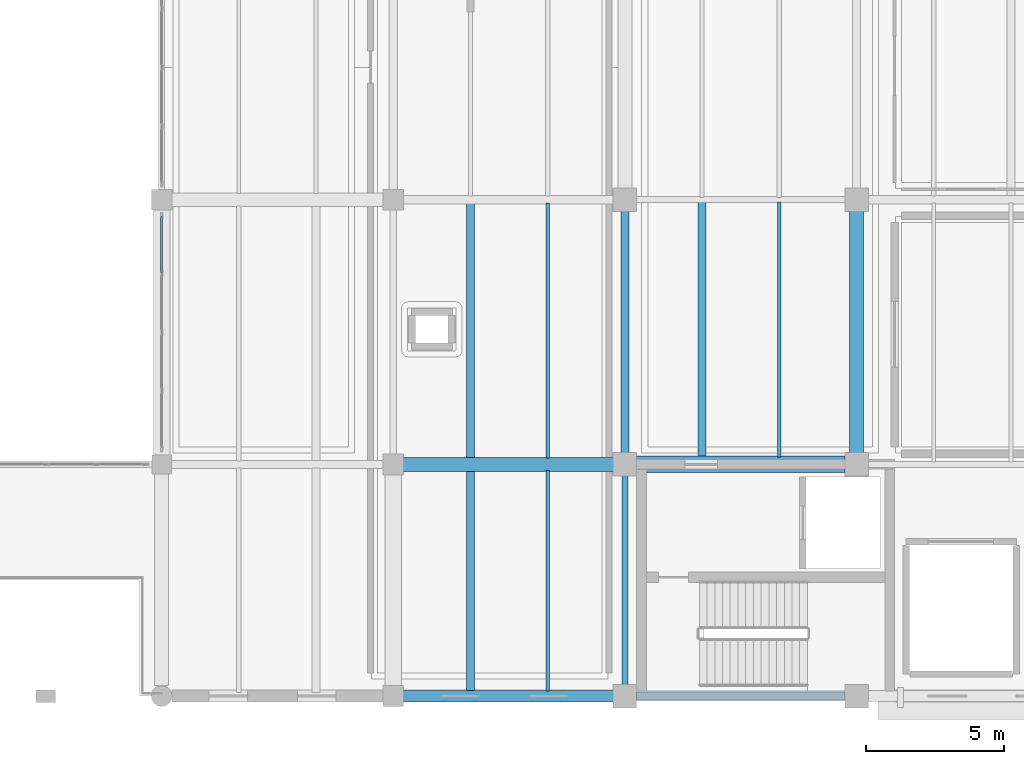
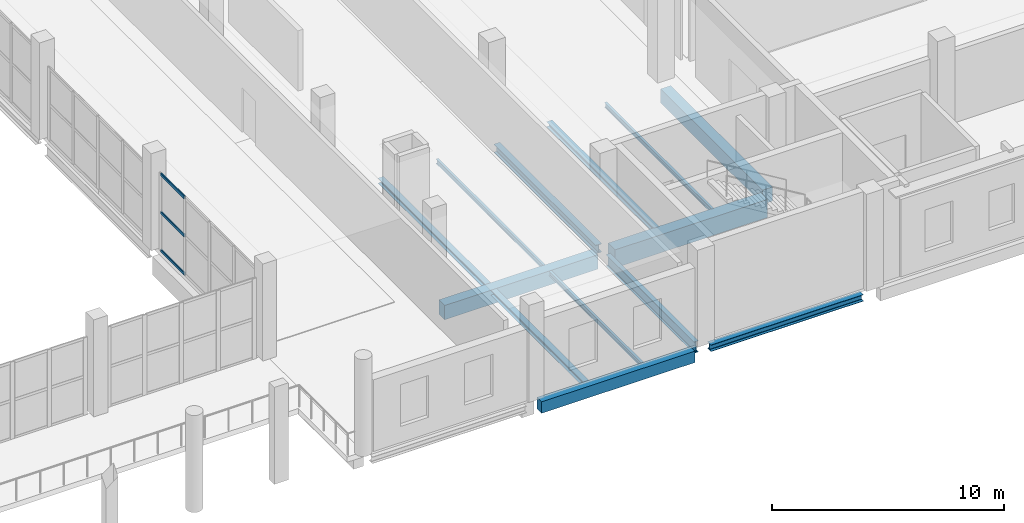
# One storey, part 16 of 66: 13 beams, 3 members, 1 element without a shape of its own.
"""IFC4 building model written with IfcOpenShell, lengths in metres."""

from ifc_helpers import new_model, si_unit, direction, frame, origin, origin_2d, place, context, subcontext, project, spatial, rectangle, hollow_rectangle, i_section, extrude, material, layer, layer_set, material_profile, profile_set, type_object, element, aggregate, save


model = new_model("IFC4")

# Units and contexts
model_context = context("Model", 3, precision=1e-05, world=origin(), true_north=direction((0.0, 1.0)))
body_context = subcontext(model_context, "Body", "Model", "MODEL_VIEW")
ifc_project = project(units=[si_unit("LENGTHUNIT", "METRE"), si_unit("AREAUNIT", "SQUARE_METRE"), si_unit("VOLUMEUNIT", "CUBIC_METRE"), si_unit("PLANEANGLEUNIT", "RADIAN"), si_unit("MASSUNIT", "GRAM", prefix="KILO")], contexts=[model_context])

# Site, building, storey
site_placement = place(None, origin())
site = spatial("IfcSite", under=ifc_project, at=site_placement, CompositionType="ELEMENT")
building_placement = place(site_placement, origin())
building = spatial("IfcBuilding", under=site, at=building_placement, Name="Zulmaris Art Gallery", CompositionType="ELEMENT")
storey_placement = place(building_placement, frame((0.0, 0.0, 5.39990234375)))
storey = spatial("IfcBuildingStorey", under=building, at=storey_placement, Name="L01", CompositionType="ELEMENT", Elevation=5.39990234375)

# Beams
ifc_material_1 = material(Name="Steel S355J2", Category="steel")
ifc_material_profile_1 = material_profile(ifc_material_1, i_section(OverallWidth=0.219970703125, OverallDepth=0.60009765625, WebThickness=0.011962890625, FlangeThickness=0.01904296875, FilletRadius=0.02392578125, at=origin_2d()), Name="IPE 600")
ifc_profile_set_1 = profile_set([ifc_material_profile_1], Name="Steel S355J2")
beam_type_1 = type_object("IfcBeamType", Name="BEAM-BM07", PredefinedType="BEAM", material=ifc_profile_set_1)
beam_1_placement = place(storey_placement, frame((141.60009765625, 13.610107421875, -0.6298828125), z_axis=(0.0, 1.0, 0.0), x_axis=(-1.0, 0.0, 0.0)))
element("IfcBeam", 1, at=beam_1_placement, inside=storey, type_object=beam_type_1, Name="L01 Y-girder (x=141.6, 13.2..21.6)", PredefinedType="BEAM", context=body_context, shape_type="SweptSolid", body=[
    extrude(i_section(OverallWidth=0.219970703125, OverallDepth=0.60009765625, WebThickness=0.011962890625, FlangeThickness=0.01904296875, FilletRadius=0.02392578125, at=origin_2d()), origin(), (0.0, 0.0, 1.0), 7.579833984375),
])
ifc_material_profile_2 = material_profile(ifc_material_1, i_section(OverallWidth=0.300048828125, OverallDepth=0.449951171875, WebThickness=0.013916015625, FlangeThickness=0.02587890625, FilletRadius=0.027099609375, at=origin_2d()), Name="HEB 450")
ifc_profile_set_2 = profile_set([ifc_material_profile_2], Name="Steel S355J2")
beam_type_2 = type_object("IfcBeamType", Name="BEAM-BM13", PredefinedType="BEAM", material=ifc_profile_set_2)
beam_2_placement = place(storey_placement, frame((141.60009765625, 22.010009765625, -0.554931640625), z_axis=(0.0, 1.0, 0.0), x_axis=(-1.0, 0.0, 0.0)))
element("IfcBeam", 2, at=beam_2_placement, inside=storey, type_object=beam_type_2, Name="L01 Y-girder (x=141.6, 21.6..31.2)", PredefinedType="BEAM", context=body_context, shape_type="SweptSolid", body=[
    extrude(i_section(OverallWidth=0.300048828125, OverallDepth=0.449951171875, WebThickness=0.013916015625, FlangeThickness=0.02587890625, FilletRadius=0.027099609375, at=origin_2d()), origin(), (0.0, 0.0, 1.0), 8.780029296875),
])
ifc_material_2 = material(Name="Concrete C40/50", Category="concrete")
ifc_material_profile_3 = material_profile(ifc_material_2, rectangle(XDim=0.5, YDim=0.75, at=origin_2d()), Name="RC 500x750")
ifc_profile_set_3 = profile_set([ifc_material_profile_3], Name="Concrete C40/50")
beam_type_3 = type_object("IfcBeamType", Name="BEAM-BM20", PredefinedType="BEAM", material=ifc_profile_set_3)
beam_3_placement = place(storey_placement, frame((133.56005859375, 21.60009765625, -0.704833984375), z_axis=(1.0, 0.0, 0.0), x_axis=(0.0, 1.0, 0.0)))
element("IfcBeam", 3, at=beam_3_placement, inside=storey, type_object=beam_type_3, Name="L01 X-girder (133.2..141.6, y=21.6)", PredefinedType="BEAM", context=body_context, shape_type="SweptSolid", body=[
    extrude(rectangle(XDim=0.5, YDim=0.75, at=origin_2d()), origin(), (0.0, 0.0, 1.0), 7.6298828125),
])
beam_4_placement = place(storey_placement, frame((150.0, 22.010009765625, -0.704833984375), z_axis=(0.0, 1.0, 0.0), x_axis=(-1.0, 0.0, 0.0)))
element("IfcBeam", 4, at=beam_4_placement, inside=storey, type_object=beam_type_3, Name="L01 Y-girder (x=150.0, 21.6..31.2)", PredefinedType="BEAM", context=body_context, shape_type="SweptSolid", body=[
    extrude(rectangle(XDim=0.5, YDim=0.75, at=origin_2d()), origin(), (0.0, 0.0, 1.0), 8.780029296875),
])
ifc_material_profile_4 = material_profile(ifc_material_2, rectangle(XDim=0.60009765625, YDim=0.949951171875, at=origin_2d()), Name="RC 600x950")
ifc_profile_set_4 = profile_set([ifc_material_profile_4], Name="Concrete C40/50")
beam_type_4 = type_object("IfcBeamType", Name="BEAM-BM22", PredefinedType="BEAM", material=ifc_profile_set_4)
beam_5_placement = place(storey_placement, frame((142.010009765625, 21.60009765625, -0.804931640625), z_axis=(1.0, 0.0, 0.0), x_axis=(0.0, 1.0, 0.0)))
element("IfcBeam", 5, at=beam_5_placement, inside=storey, type_object=beam_type_4, Name="L01 X-girder (141.6..150.0, y=21.6)", PredefinedType="BEAM", context=body_context, shape_type="SweptSolid", body=[
    extrude(rectangle(XDim=0.60009765625, YDim=0.949951171875, at=origin_2d()), origin(), (0.0, 0.0, 1.0), 7.580078125),
])
ifc_material_profile_5 = material_profile(ifc_material_1, i_section(OverallWidth=0.1201171875, OverallDepth=0.239990234375, WebThickness=0.006103515625, FlangeThickness=0.009765625, FilletRadius=0.014892578125, at=origin_2d()), Name="IPE 240")
ifc_profile_set_5 = profile_set([ifc_material_profile_5], Name="Steel S355J2")
beam_type_5 = type_object("IfcBeamType", Name="BEAM-JS01", PredefinedType="JOIST", material=ifc_profile_set_5)
beam_6_placement = place(storey_placement, frame((138.800048828125, 13.375, -0.449951171875), z_axis=(0.0, 1.0, 0.0), x_axis=(-1.0, 0.0, 0.0)))
element("IfcBeam", 6, at=beam_6_placement, inside=storey, type_object=beam_type_5, Name="L01 secondary joist at x=138.8", PredefinedType="JOIST", context=body_context, shape_type="SweptSolid", body=[
    extrude(i_section(OverallWidth=0.1201171875, OverallDepth=0.239990234375, WebThickness=0.006103515625, FlangeThickness=0.009765625, FilletRadius=0.014892578125, at=origin_2d()), origin(), (0.0, 0.0, 1.0), 8.0),
])
beam_7_placement = place(storey_placement, frame((138.800048828125, 21.824951171875, -0.449951171875), z_axis=(0.0, 1.0, 0.0), x_axis=(-1.0, 0.0, 0.0)))
element("IfcBeam", 7, at=beam_7_placement, inside=storey, type_object=beam_type_5, Name="L01 secondary joist at x=138.8", PredefinedType="JOIST", context=body_context, shape_type="SweptSolid", body=[
    extrude(i_section(OverallWidth=0.1201171875, OverallDepth=0.239990234375, WebThickness=0.006103515625, FlangeThickness=0.009765625, FilletRadius=0.014892578125, at=origin_2d()), origin(), (0.0, 0.0, 1.0), 9.25),
])
beam_8_placement = place(storey_placement, frame((147.199951171875, 21.875, -0.449951171875), z_axis=(0.0, 1.0, 0.0), x_axis=(-1.0, 0.0, 0.0)))
element("IfcBeam", 8, at=beam_8_placement, inside=storey, type_object=beam_type_5, Name="L01 secondary joist at x=147.2", PredefinedType="JOIST", context=body_context, shape_type="SweptSolid", body=[
    extrude(i_section(OverallWidth=0.1201171875, OverallDepth=0.239990234375, WebThickness=0.006103515625, FlangeThickness=0.009765625, FilletRadius=0.014892578125, at=origin_2d()), origin(), (0.0, 0.0, 1.0), 9.239990234375),
])
ifc_material_profile_6 = material_profile(ifc_material_1, i_section(OverallWidth=0.280029296875, OverallDepth=0.27001953125, WebThickness=0.008056640625, FlangeThickness=0.012939453125, FilletRadius=0.02392578125, at=origin_2d()), Name="HEA 280")
ifc_profile_set_6 = profile_set([ifc_material_profile_6], Name="Steel S355J2")
beam_type_6 = type_object("IfcBeamType", Name="BEAM-JS04", PredefinedType="JOIST", material=ifc_profile_set_6)
beam_9_placement = place(storey_placement, frame((136.0, 13.375, -0.46484375), z_axis=(0.0, 1.0, 0.0), x_axis=(-1.0, 0.0, 0.0)))
element("IfcBeam", 9, at=beam_9_placement, inside=storey, type_object=beam_type_6, Name="L01 secondary joist at x=136.0", PredefinedType="JOIST", context=body_context, shape_type="SweptSolid", body=[
    extrude(i_section(OverallWidth=0.280029296875, OverallDepth=0.27001953125, WebThickness=0.008056640625, FlangeThickness=0.012939453125, FilletRadius=0.02392578125, at=origin_2d()), origin(), (0.0, 0.0, 1.0), 8.0),
])
beam_10_placement = place(storey_placement, frame((136.0, 21.824951171875, -0.46484375), z_axis=(0.0, 1.0, 0.0), x_axis=(-1.0, 0.0, 0.0)))
element("IfcBeam", 10, at=beam_10_placement, inside=storey, type_object=beam_type_6, Name="L01 secondary joist at x=136.0", PredefinedType="JOIST", context=body_context, shape_type="SweptSolid", body=[
    extrude(i_section(OverallWidth=0.280029296875, OverallDepth=0.27001953125, WebThickness=0.008056640625, FlangeThickness=0.012939453125, FilletRadius=0.02392578125, at=origin_2d()), origin(), (0.0, 0.0, 1.0), 9.25),
])
beam_11_placement = place(storey_placement, frame((144.39990234375, 21.875, -0.46484375), z_axis=(0.0, 1.0, 0.0), x_axis=(-1.0, 0.0, 0.0)))
element("IfcBeam", 11, at=beam_11_placement, inside=storey, type_object=beam_type_6, Name="L01 secondary joist at x=144.4", PredefinedType="JOIST", context=body_context, shape_type="SweptSolid", body=[
    extrude(i_section(OverallWidth=0.280029296875, OverallDepth=0.27001953125, WebThickness=0.008056640625, FlangeThickness=0.012939453125, FilletRadius=0.02392578125, at=origin_2d()), origin(), (0.0, 0.0, 1.0), 9.239990234375),
])
ifc_material_profile_7 = material_profile(ifc_material_1, i_section(OverallWidth=0.300048828125, OverallDepth=0.35009765625, WebThickness=0.010009765625, FlangeThickness=0.017578125, FilletRadius=0.027099609375, at=origin_2d()), Name="HEA 360")
ifc_profile_set_7 = profile_set([ifc_material_profile_7], Name="Steel S355J2")
beam_type_7 = type_object("IfcBeamType", Name="BEAM-SP01", PredefinedType="SPANDREL", material=ifc_profile_set_7)
beam_12_placement = place(storey_placement, frame((142.010009765625, 13.199951171875, -0.5048828125), z_axis=(1.0, 0.0, 0.0), x_axis=(0.0, 1.0, 0.0)))
element("IfcBeam", 12, at=beam_12_placement, inside=storey, type_object=beam_type_7, Name="L01 X-girder (141.6..150.0, y=13.2)", PredefinedType="SPANDREL", context=body_context, shape_type="SweptSolid", body=[
    extrude(i_section(OverallWidth=0.300048828125, OverallDepth=0.35009765625, WebThickness=0.010009765625, FlangeThickness=0.017578125, FilletRadius=0.027099609375, at=origin_2d()), origin(), (0.0, 0.0, 1.0), 7.580078125),
])
ifc_material_profile_8 = material_profile(ifc_material_2, rectangle(XDim=0.39990234375, YDim=0.60009765625, at=origin_2d()), Name="RC 400x600")
ifc_profile_set_8 = profile_set([ifc_material_profile_8], Name="Concrete C40/50")
beam_type_8 = type_object("IfcBeamType", Name="BEAM-SP03", PredefinedType="SPANDREL", material=ifc_profile_set_8)
beam_13_placement = place(storey_placement, frame((133.56005859375, 13.199951171875, -0.6298828125), z_axis=(1.0, 0.0, 0.0), x_axis=(0.0, 1.0, 0.0)))
element("IfcBeam", 13, at=beam_13_placement, inside=storey, type_object=beam_type_8, Name="L01 X-girder (133.2..141.6, y=13.2)", PredefinedType="SPANDREL", context=body_context, shape_type="SweptSolid", body=[
    extrude(rectangle(XDim=0.39990234375, YDim=0.60009765625, at=origin_2d()), origin(), (0.0, 0.0, 1.0), 7.6298828125),
])

# Curtain wall, members
ifc_material_3 = material(Name="Unitised Low-E Gallery Curtain Wall", Category="aluminium")
ifc_layer = layer(ifc_material_3, 0.179931640625)
ifc_layer_set = layer_set([ifc_layer], Name="Unitised Low-E Gallery Curtain Wall")
curtain_wall_type = type_object("IfcCurtainWallType", Name="CW-CW01", PredefinedType="NOTDEFINED", material=ifc_layer_set)
curtain_wall_placement = place(storey_placement, origin())
curtain_wall = element("IfcCurtainWall", 14, at=curtain_wall_placement, inside=storey, type_object=curtain_wall_type, Name="L01 curtain wall 100", PredefinedType="NOTDEFINED")
ifc_material_4 = material(Name="Anodised Bronze Aluminium", Category="aluminium")
ifc_material_profile_9 = material_profile(ifc_material_4, hollow_rectangle(XDim=0.074951171875, YDim=0.159912109375, WallThickness=0.00390625, InnerFilletRadius=0.006103515625, OuterFilletRadius=0.010009765625, at=origin_2d()), Name="ALU 75x160x4")
ifc_profile_set_9 = profile_set([ifc_material_profile_9], Name="Anodised Bronze Aluminium")
member_type = type_object("IfcMemberType", Name="CWTRN-02", PredefinedType="USERDEFINED", material=ifc_profile_set_9)
member_1_placement = place(storey_placement, frame((124.800048828125, 28.5673828125, 0.03759765625), z_axis=(0.0, 1.0, 0.0), x_axis=(-1.0, 0.0, 0.0)))
member_1 = element("IfcMember", 15, at=member_1_placement, type_object=member_type, Name="CW01 transom 4.1", ObjectType="TRANSOM", PredefinedType="USERDEFINED", context=body_context, shape_type="SweptSolid", body=[
    extrude(hollow_rectangle(XDim=0.074951171875, YDim=0.159912109375, WallThickness=0.00390625, InnerFilletRadius=0.006103515625, OuterFilletRadius=0.010009765625, at=origin_2d()), origin(), (0.0, 0.0, 1.0), 2.017578125),
])
member_2_placement = place(storey_placement, frame((124.800048828125, 28.5673828125, 2.03759765625), z_axis=(0.0, 1.0, 0.0), x_axis=(-1.0, 0.0, 0.0)))
member_2 = element("IfcMember", 16, at=member_2_placement, type_object=member_type, Name="CW01 transom 4.2", ObjectType="TRANSOM", PredefinedType="USERDEFINED", context=body_context, shape_type="SweptSolid", body=[
    extrude(hollow_rectangle(XDim=0.074951171875, YDim=0.159912109375, WallThickness=0.00390625, InnerFilletRadius=0.006103515625, OuterFilletRadius=0.010009765625, at=origin_2d()), origin(), (0.0, 0.0, 1.0), 2.017578125),
])
member_3_placement = place(storey_placement, frame((124.800048828125, 28.5673828125, 4.03759765625), z_axis=(0.0, 1.0, 0.0), x_axis=(-1.0, 0.0, 0.0)))
member_3 = element("IfcMember", 17, at=member_3_placement, type_object=member_type, Name="CW01 transom 4.3", ObjectType="TRANSOM", PredefinedType="USERDEFINED", context=body_context, shape_type="SweptSolid", body=[
    extrude(hollow_rectangle(XDim=0.074951171875, YDim=0.159912109375, WallThickness=0.00390625, InnerFilletRadius=0.006103515625, OuterFilletRadius=0.010009765625, at=origin_2d()), origin(), (0.0, 0.0, 1.0), 2.017578125),
])
aggregate(curtain_wall, [member_1, member_2, member_3])

save(model, "model.ifc")
